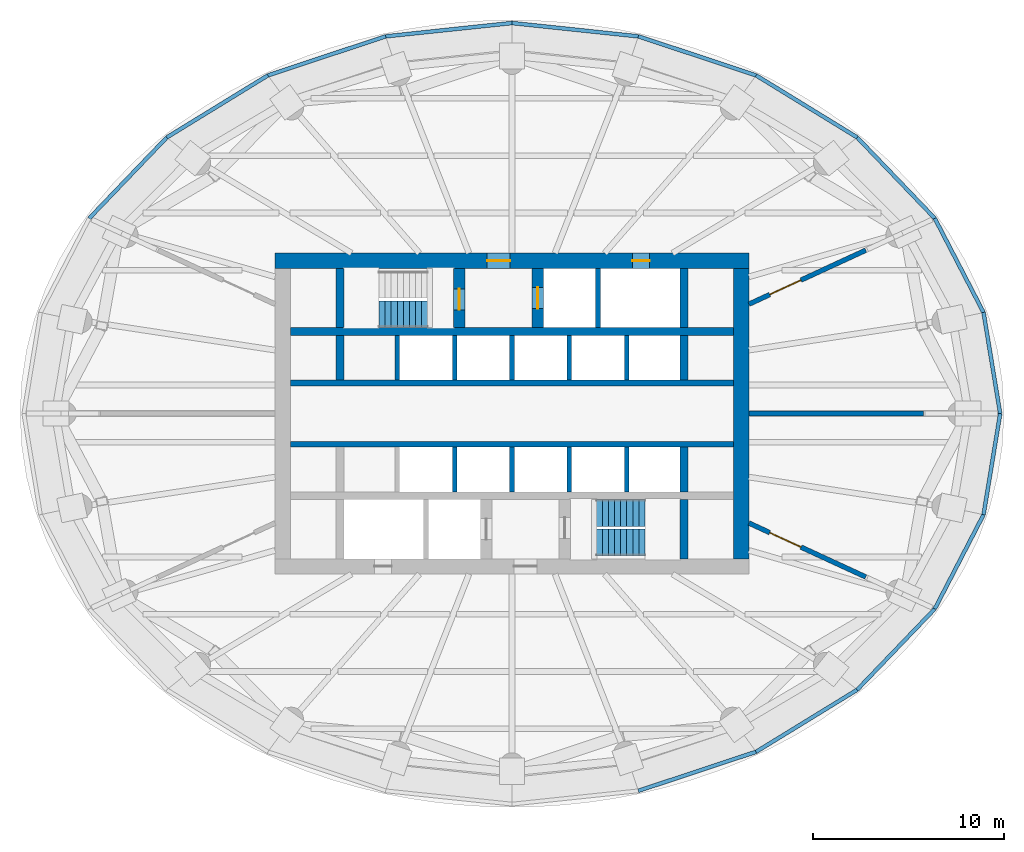
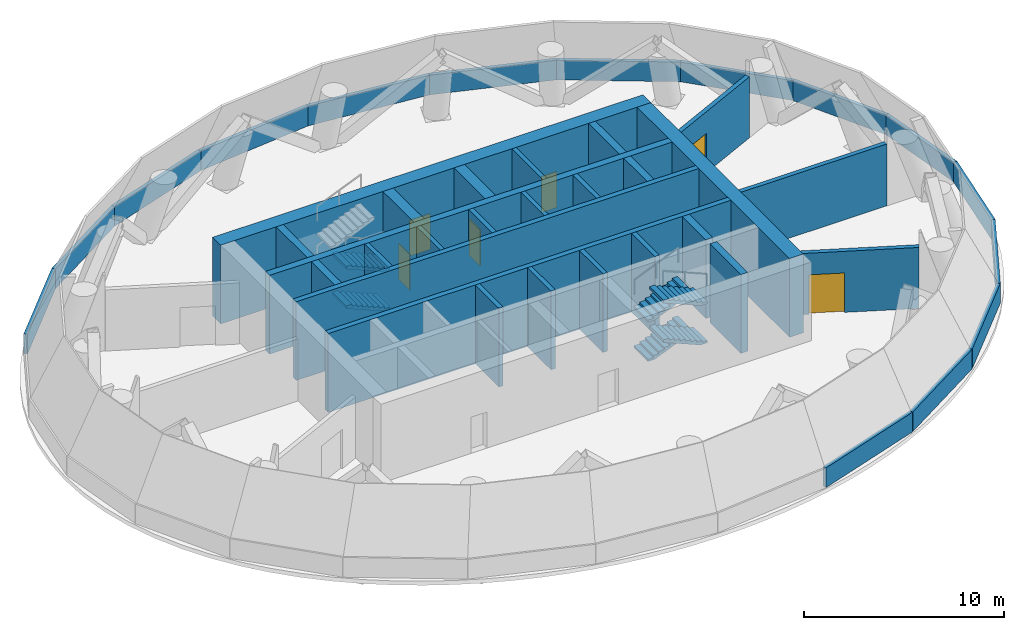
# One storey, part 5 of 7: 41 walls, 6 doors, 6 stair flights, 6 openings, 2 elements without a shape of their own.
"""IFC4 building model written with IfcOpenShell, lengths in metres."""

from ifc_helpers import new_model, si_unit, direction, frame, frame_2d, origin, place, context, subcontext, project, spatial, polyline, rectangle, outline, extrude, material, layer, layer_set, type_object, element, fill, aggregate, save


model = new_model("IFC4")

# Units and contexts
model_context = context("Model", 3, precision=1e-05, world=origin(), true_north=direction((0.0, 1.0)))
body_context = subcontext(model_context, "Body", "Model", "MODEL_VIEW")
ifc_project = project(units=[si_unit("LENGTHUNIT", "METRE"), si_unit("AREAUNIT", "SQUARE_METRE"), si_unit("VOLUMEUNIT", "CUBIC_METRE"), si_unit("PLANEANGLEUNIT", "RADIAN"), si_unit("MASSUNIT", "GRAM", prefix="KILO")], contexts=[model_context])

# Site, building, storey
site_placement = place(None, origin())
site = spatial("IfcSite", under=ifc_project, at=site_placement, CompositionType="ELEMENT")
building_placement = place(site_placement, origin())
building = spatial("IfcBuilding", under=site, at=building_placement, Name="Hankou Lantern Tower", CompositionType="ELEMENT")
storey_placement = place(building_placement, frame((0.0, 0.0, 138.60009765625)))
storey = spatial("IfcBuildingStorey", under=building, at=storey_placement, Name="L36", CompositionType="ELEMENT", Elevation=138.60009765625)

# Wall, openings, doors
ifc_material_1 = material(Name="Concrete C60", Category="concrete")
ifc_layer_1 = layer(ifc_material_1, 0.800048828125)
ifc_layer_set_1 = layer_set([ifc_layer_1], Name="Concrete C60")
wall_type_1 = type_object("IfcWallType", Name="CW2 CORE WALL 800", PredefinedType="SHEAR", material=ifc_layer_set_1)
wall_1_placement = place(storey_placement, frame((-12.39990234375, 8.0, 0.0), z_axis=(0.0, 0.0, 1.0), x_axis=(1.0, 0.0, 0.0)))
wall_1 = element("IfcWall", 1, at=wall_1_placement, inside=storey, type_object=wall_type_1, Name="Core wall north L36", PredefinedType="SHEAR", context=body_context, shape_type="SweptSolid", body=[
    extrude(rectangle(XDim=24.7998046875, YDim=0.800048828125, at=frame_2d((12.39990234375, 0.0))), origin(), (0.0, 0.0, 1.0), 4.7998046875),
])
opening_1_placement = place(wall_1_placement, frame((11.10009765625, 0.0, 0.0)))
opening_1 = element("IfcOpeningElement", 2, at=opening_1_placement, cuts=wall_1, Name="Opening D5", PredefinedType="OPENING", context=body_context, shape_type="SweptSolid", body=[
    extrude(rectangle(XDim=1.199951171875, YDim=2.199951171875, at=frame_2d((0.60009765625, 1.10009765625))), frame((0.0, 0.409912109375, 0.0), z_axis=(0.0, -1.0, 0.0), x_axis=(1.0, 0.0, 0.0)), (0.0, 0.0, 1.0), 0.820068359375),
])
opening_2_placement = place(wall_1_placement, frame((18.699951171875, 0.0, 0.0)))
opening_2 = element("IfcOpeningElement", 3, at=opening_2_placement, cuts=wall_1, Name="Opening D7", PredefinedType="OPENING", context=body_context, shape_type="SweptSolid", body=[
    extrude(rectangle(XDim=0.89990234375, YDim=2.199951171875, at=frame_2d((0.449951171875, 1.10009765625))), frame((0.0, 0.409912109375, 0.0), z_axis=(0.0, -1.0, 0.0), x_axis=(1.0, 0.0, 0.0)), (0.0, 0.0, 1.0), 0.820068359375),
])
ifc_material_2 = material(Name="Steel door leaf", Category="steel")
door_type_1 = type_object("IfcDoorType", Name="D5 STAIR LOBBY DOOR 1200X2200", OperationType="SINGLE_SWING_LEFT", PredefinedType="DOOR", material=ifc_material_2)
door_1_placement = place(opening_1_placement, origin())
door_1 = element("IfcDoor", 4, at=door_1_placement, inside=storey, type_object=door_type_1, Name="Stair A lobby door", OperationType="SINGLE_SWING_LEFT", OverallHeight=2.199951171875, OverallWidth=1.199951171875, PredefinedType="DOOR", context=body_context, shape_type="SweptSolid", body=[
    extrude(rectangle(XDim=1.199951171875, YDim=2.199951171875, at=frame_2d((0.60009765625, 1.10009765625))), frame((0.0, 0.02490234375, 0.0), z_axis=(0.0, -1.0, 0.0), x_axis=(1.0, 0.0, 0.0)), (0.0, 0.0, 1.0), 0.050048828125),
])
fill(opening_1, door_1)
ifc_material_3 = material(Name="Steel door leaf", Category="steel")
door_type_2 = type_object("IfcDoorType", Name="D7 RISER DOOR 900X2200", OperationType="SINGLE_SWING_LEFT", PredefinedType="DOOR", material=ifc_material_3)
door_2_placement = place(opening_2_placement, origin())
door_2 = element("IfcDoor", 5, at=door_2_placement, inside=storey, type_object=door_type_2, Name="Riser N1 door", OperationType="SINGLE_SWING_RIGHT", OverallHeight=2.199951171875, OverallWidth=0.89990234375, PredefinedType="DOOR", context=body_context, shape_type="SweptSolid", body=[
    extrude(rectangle(XDim=0.89990234375, YDim=2.199951171875, at=frame_2d((0.449951171875, 1.10009765625))), frame((0.0, 0.02490234375, 0.0), z_axis=(0.0, -1.0, 0.0), x_axis=(1.0, 0.0, 0.0)), (0.0, 0.0, 1.0), 0.050048828125),
])
fill(opening_2, door_2)

# Walls
wall_2_placement = place(storey_placement, frame((12.0, -7.60009765625, 0.0), z_axis=(0.0, 0.0, 1.0), x_axis=(0.0, 1.0, 0.0)))
element("IfcWall", 6, at=wall_2_placement, inside=storey, type_object=wall_type_1, Name="Core wall east L36", PredefinedType="SHEAR", context=body_context, shape_type="SweptSolid", body=[
    extrude(rectangle(XDim=15.2001953125, YDim=0.800048828125, at=frame_2d((7.60009765625, 0.0))), origin(), (0.0, 0.0, 1.0), 4.7998046875),
])
ifc_material_4 = material(Name="Concrete C60", Category="concrete")
ifc_layer_2 = layer(ifc_material_4, 0.39990234375)
ifc_layer_set_2 = layer_set([ifc_layer_2], Name="Concrete C60")
wall_type_2 = type_object("IfcWallType", Name="CW4 CORE CROSS WALL 400", PredefinedType="SHEAR", material=ifc_layer_set_2)
wall_3_placement = place(storey_placement, frame((-11.60009765625, 4.300048828125, 0.0), z_axis=(0.0, 0.0, 1.0), x_axis=(1.0, 0.0, 0.0)))
element("IfcWall", 7, at=wall_3_placement, inside=storey, type_object=wall_type_2, Name="Core band wall north L36", PredefinedType="SHEAR", context=body_context, shape_type="SweptSolid", body=[
    extrude(rectangle(XDim=23.2001953125, YDim=0.39990234375, at=frame_2d((11.60009765625, 0.0))), origin(), (0.0, 0.0, 1.0), 4.7998046875),
])
wall_4_placement = place(storey_placement, frame((-9.0, 4.5, 0.0), z_axis=(0.0, 0.0, 1.0), x_axis=(0.0, 1.0, 0.0)))
element("IfcWall", 8, at=wall_4_placement, inside=storey, type_object=wall_type_2, Name="Core strip wall L36", PredefinedType="SHEAR", context=body_context, shape_type="SweptSolid", body=[
    extrude(rectangle(XDim=3.10009765625, YDim=0.39990234375, at=frame_2d((1.550048828125, 0.0))), origin(), (0.0, 0.0, 1.0), 4.7998046875),
])
wall_5_placement = place(storey_placement, frame((-9.0, 1.75, 0.0), z_axis=(0.0, 0.0, 1.0), x_axis=(0.0, 1.0, 0.0)))
element("IfcWall", 9, at=wall_5_placement, inside=storey, type_object=wall_type_2, Name="Core strip wall L36", PredefinedType="SHEAR", context=body_context, shape_type="SweptSolid", body=[
    extrude(rectangle(XDim=2.35009765625, YDim=0.39990234375, at=frame_2d((1.175048828125, 0.0))), origin(), (0.0, 0.0, 1.0), 4.7998046875),
])
wall_6_placement = place(storey_placement, frame((9.0, 4.5, 0.0), z_axis=(0.0, 0.0, 1.0), x_axis=(0.0, 1.0, 0.0)))
element("IfcWall", 10, at=wall_6_placement, inside=storey, type_object=wall_type_2, Name="Core strip wall L36", PredefinedType="SHEAR", context=body_context, shape_type="SweptSolid", body=[
    extrude(rectangle(XDim=3.10009765625, YDim=0.39990234375, at=frame_2d((1.550048828125, 0.0))), origin(), (0.0, 0.0, 1.0), 4.7998046875),
])
for number, where, z_axis, x_axis, name in (
    (11, (9.0, 1.75, 0.0), (0.0, 0.0, 1.0), (0.0, 1.0, 0.0), "Core strip wall L36"),
    (12, (9.0, -4.10009765625, 0.0), (0.0, 0.0, 1.0), (0.0, 1.0, 0.0), "Core strip wall L36"),
):
    element("IfcWall", number, at=place(storey_placement, frame(where, z_axis=z_axis, x_axis=x_axis)), inside=storey, type_object=wall_type_2, Name=name, PredefinedType="SHEAR", context=body_context, shape_type="SweptSolid", body=[
        extrude(rectangle(XDim=2.35009765625, YDim=0.39990234375, at=frame_2d((1.175048828125, 0.0))), origin(), (0.0, 0.0, 1.0), 4.7998046875),
    ])
wall_7_placement = place(storey_placement, frame((9.0, -7.60009765625, 0.0), z_axis=(0.0, 0.0, 1.0), x_axis=(0.0, 1.0, 0.0)))
element("IfcWall", 13, at=wall_7_placement, inside=storey, type_object=wall_type_2, Name="Core strip wall L36", PredefinedType="SHEAR", context=body_context, shape_type="SweptSolid", body=[
    extrude(rectangle(XDim=3.10009765625, YDim=0.39990234375, at=frame_2d((1.550048828125, 0.0))), origin(), (0.0, 0.0, 1.0), 4.7998046875),
])
ifc_material_5 = material(Name="Concrete C60", Category="concrete")
ifc_layer_3 = layer(ifc_material_5, 0.300048828125)
ifc_layer_set_3 = layer_set([ifc_layer_3], Name="Concrete C60")
wall_type_3 = type_object("IfcWallType", Name="CW5 LIFT LOBBY WALL 300", PredefinedType="SHEAR", material=ifc_layer_set_3)
for number, where, z_axis, x_axis, name in (
    (14, (-11.60009765625, 1.60009765625, 0.0), (0.0, 0.0, 1.0), (1.0, 0.0, 0.0), "Lift lobby wall north L36"),
    (15, (-11.60009765625, -1.60009765625, 0.0), (0.0, 0.0, 1.0), (1.0, 0.0, 0.0), "Lift lobby wall south L36"),
):
    element("IfcWall", number, at=place(storey_placement, frame(where, z_axis=z_axis, x_axis=x_axis)), inside=storey, type_object=wall_type_3, Name=name, PredefinedType="SHEAR", context=body_context, shape_type="SweptSolid", body=[
        extrude(rectangle(XDim=23.2001953125, YDim=0.300048828125, at=frame_2d((11.60009765625, 0.0))), origin(), (0.0, 0.0, 1.0), 4.7998046875),
    ])

# Wall, opening, door
ifc_material_6 = material(Name="Concrete C60", Category="concrete")
ifc_layer_4 = layer(ifc_material_6, 0.60009765625)
ifc_layer_set_4 = layer_set([ifc_layer_4], Name="Concrete C60")
wall_type_4 = type_object("IfcWallType", Name="CW6 STAIR AND SHAFT WALL 600", PredefinedType="SHEAR", material=ifc_layer_set_4)
wall_8_placement = place(storey_placement, frame((-2.75, 4.5, 0.0), z_axis=(0.0, 0.0, 1.0), x_axis=(0.0, 1.0, 0.0)))
wall_8 = element("IfcWall", 16, at=wall_8_placement, inside=storey, type_object=wall_type_4, Name="Stair wall L36", PredefinedType="SHEAR", context=body_context, shape_type="SweptSolid", body=[
    extrude(rectangle(XDim=3.10009765625, YDim=0.60009765625, at=frame_2d((1.550048828125, 0.0))), origin(), (0.0, 0.0, 1.0), 4.7998046875),
])
opening_3_placement = place(wall_8_placement, frame((0.925048828125, 0.0, 0.0)))
opening_3 = element("IfcOpeningElement", 17, at=opening_3_placement, cuts=wall_8, Name="Opening D4", PredefinedType="OPENING", context=body_context, shape_type="SweptSolid", body=[
    extrude(rectangle(XDim=1.10009765625, YDim=2.199951171875, at=frame_2d((0.550048828125, 1.10009765625))), frame((0.0, 0.31005859375, 0.0), z_axis=(0.0, -1.0, 0.0), x_axis=(1.0, 0.0, 0.0)), (0.0, 0.0, 1.0), 0.6201171875),
])
ifc_material_7 = material(Name="Steel door leaf", Category="steel")
door_type_3 = type_object("IfcDoorType", Name="D4 STAIR DOOR 1100X2200", OperationType="SINGLE_SWING_LEFT", PredefinedType="DOOR", material=ifc_material_7)
door_3_placement = place(opening_3_placement, origin())
door_3 = element("IfcDoor", 18, at=door_3_placement, inside=storey, type_object=door_type_3, Name="Stair A door", OperationType="SINGLE_SWING_LEFT", OverallHeight=2.199951171875, OverallWidth=1.10009765625, PredefinedType="DOOR", context=body_context, shape_type="SweptSolid", body=[
    extrude(rectangle(XDim=1.10009765625, YDim=2.199951171875, at=frame_2d((0.550048828125, 1.10009765625))), frame((0.0, 0.02490234375, 0.0), z_axis=(0.0, -1.0, 0.0), x_axis=(1.0, 0.0, 0.0)), (0.0, 0.0, 1.0), 0.050048828125),
])
fill(opening_3, door_3)

wall_9_placement = place(storey_placement, frame((1.35009765625, 4.5, 0.0), z_axis=(0.0, 0.0, 1.0), x_axis=(0.0, 1.0, 0.0)))
wall_9 = element("IfcWall", 19, at=wall_9_placement, inside=storey, type_object=wall_type_4, Name="Firefighting lift shaft wall L36", PredefinedType="SHEAR", context=body_context, shape_type="SweptSolid", body=[
    extrude(rectangle(XDim=3.10009765625, YDim=0.60009765625, at=frame_2d((1.550048828125, 0.0))), origin(), (0.0, 0.0, 1.0), 4.7998046875),
])
opening_4_placement = place(wall_9_placement, frame((1.0, 0.0, 0.0)))
opening_4 = element("IfcOpeningElement", 20, at=opening_4_placement, cuts=wall_9, Name="Opening LD2", PredefinedType="OPENING", context=body_context, shape_type="SweptSolid", body=[
    extrude(rectangle(XDim=1.10009765625, YDim=2.199951171875, at=frame_2d((0.550048828125, 1.10009765625))), frame((0.0, 0.31005859375, 0.0), z_axis=(0.0, -1.0, 0.0), x_axis=(1.0, 0.0, 0.0)), (0.0, 0.0, 1.0), 0.6201171875),
])
ifc_material_8 = material(Name="Steel door leaf", Category="steel")
door_type_4 = type_object("IfcDoorType", Name="LD2 FIREFIGHTING LIFT LANDING DOOR 1100X2200", OperationType="DOUBLE_DOOR_SLIDING", PredefinedType="DOOR", material=ifc_material_8)
door_4_placement = place(opening_4_placement, origin())
door_4 = element("IfcDoor", 21, at=door_4_placement, inside=storey, type_object=door_type_4, Name="Firefighting lift FL1 landing door", OperationType="DOUBLE_DOOR_SLIDING", OverallHeight=2.199951171875, OverallWidth=1.10009765625, PredefinedType="DOOR", context=body_context, shape_type="SweptSolid", body=[
    extrude(rectangle(XDim=1.10009765625, YDim=2.199951171875, at=frame_2d((0.550048828125, 1.10009765625))), frame((0.0, 0.02490234375, 0.0), z_axis=(0.0, -1.0, 0.0), x_axis=(1.0, 0.0, 0.0)), (0.0, 0.0, 1.0), 0.050048828125),
])
fill(opening_4, door_4)

# Walls
ifc_material_9 = material(Name="Precast concrete C40 spandrel", Category="concrete")
ifc_layer_5 = layer(ifc_material_9, 0.199951171875)
ifc_layer_set_5 = layer_set([ifc_layer_5], Name="Precast concrete C40 spandrel")
wall_type_5 = type_object("IfcWallType", Name="EW3 SPANDREL WALL 200", PredefinedType="PARAPET", material=ifc_layer_set_5)
wall_10_placement = place(storey_placement, frame((25.550048828125, 0.0, 0.0), z_axis=(0.0, 0.0, 1.0), x_axis=(-0.162382736065, 0.986727848511, 0.0)))
element("IfcWall", 22, at=wall_10_placement, inside=storey, type_object=wall_type_5, Name="Spandrel wall R01 L36", PredefinedType="PARAPET", context=body_context, shape_type="SweptSolid", body=[
    extrude(rectangle(XDim=5.361328125, YDim=0.199951171875, at=frame_2d((2.6806640625, 0.0))), origin(), (0.0, 0.0, 1.0), 1.199951171875),
])
wall_11_placement = place(storey_placement, frame((24.679443359375, 5.290283203125, 0.0), z_axis=(0.0, 0.0, 1.0), x_axis=(-0.459799751401, 0.888022628435, 0.0)))
element("IfcWall", 23, at=wall_11_placement, inside=storey, type_object=wall_type_5, Name="Spandrel wall R02 L36", PredefinedType="PARAPET", context=body_context, shape_type="SweptSolid", body=[
    extrude(rectangle(XDim=5.55126953125, YDim=0.199951171875, at=frame_2d((2.775634765625, 0.0))), origin(), (0.0, 0.0, 1.0), 1.199951171875),
])
wall_12_placement = place(storey_placement, frame((22.126953125, 10.219970703125, 0.0), z_axis=(0.0, 0.0, 1.0), x_axis=(-0.692198197334, 0.721707458467, 0.0)))
element("IfcWall", 24, at=wall_12_placement, inside=storey, type_object=wall_type_5, Name="Spandrel wall R03 L36", PredefinedType="PARAPET", context=body_context, shape_type="SweptSolid", body=[
    extrude(rectangle(XDim=5.86572265625, YDim=0.199951171875, at=frame_2d((2.932861328125, 0.0))), origin(), (0.0, 0.0, 1.0), 1.199951171875),
])
wall_13_placement = place(storey_placement, frame((18.066650390625, 14.453369140625, 0.0), z_axis=(0.0, 0.0, 1.0), x_axis=(-0.852245039727, 0.523142802933, 0.0)))
element("IfcWall", 25, at=wall_13_placement, inside=storey, type_object=wall_type_5, Name="Spandrel wall R04 L36", PredefinedType="PARAPET", context=body_context, shape_type="SweptSolid", body=[
    extrude(rectangle(XDim=6.209228515625, YDim=0.199951171875, at=frame_2d((3.1044921875, 0.0))), origin(), (0.0, 0.0, 1.0), 1.199951171875),
])
wall_14_placement = place(storey_placement, frame((12.77490234375, 17.70166015625, 0.0), z_axis=(0.0, 0.0, 1.0), x_axis=(-0.94924966328, 0.314523571078, 0.0)))
element("IfcWall", 26, at=wall_14_placement, inside=storey, type_object=wall_type_5, Name="Spandrel wall R05 L36", PredefinedType="PARAPET", context=body_context, shape_type="SweptSolid", body=[
    extrude(rectangle(XDim=6.491455078125, YDim=0.199951171875, at=frame_2d((3.24560546875, 0.0))), origin(), (0.0, 0.0, 1.0), 1.199951171875),
])
for number, where, z_axis, x_axis, name in (
    (27, (6.61279296875, 19.743408203125, 0.0), (0.0, 0.0, 1.0), (-0.994498409184, 0.10475167841, 0.0), "Spandrel wall R06 L36"),
    (28, (0.0, 20.43994140625, 0.0), (0.0, 0.0, 1.0), (-0.994498409184, -0.10475167841, 0.0), "Spandrel wall R07 L36"),
):
    element("IfcWall", number, at=place(storey_placement, frame(where, z_axis=z_axis, x_axis=x_axis)), inside=storey, type_object=wall_type_5, Name=name, PredefinedType="PARAPET", context=body_context, shape_type="SweptSolid", body=[
        extrude(rectangle(XDim=6.6494140625, YDim=0.199951171875, at=frame_2d((3.32470703125, 0.0))), origin(), (0.0, 0.0, 1.0), 1.199951171875),
    ])
wall_15_placement = place(storey_placement, frame((-6.61279296875, 19.743408203125, 0.0), z_axis=(0.0, 0.0, 1.0), x_axis=(-0.94924966328, -0.314523571078, 0.0)))
element("IfcWall", 29, at=wall_15_placement, inside=storey, type_object=wall_type_5, Name="Spandrel wall R08 L36", PredefinedType="PARAPET", context=body_context, shape_type="SweptSolid", body=[
    extrude(rectangle(XDim=6.491455078125, YDim=0.199951171875, at=frame_2d((3.24560546875, 0.0))), origin(), (0.0, 0.0, 1.0), 1.199951171875),
])
wall_16_placement = place(storey_placement, frame((-12.77490234375, 17.70166015625, 0.0), z_axis=(0.0, 0.0, 1.0), x_axis=(-0.852245039727, -0.523142802933, 0.0)))
element("IfcWall", 30, at=wall_16_placement, inside=storey, type_object=wall_type_5, Name="Spandrel wall R09 L36", PredefinedType="PARAPET", context=body_context, shape_type="SweptSolid", body=[
    extrude(rectangle(XDim=6.209228515625, YDim=0.199951171875, at=frame_2d((3.1044921875, 0.0))), origin(), (0.0, 0.0, 1.0), 1.199951171875),
])
wall_17_placement = place(storey_placement, frame((-18.066650390625, 14.453369140625, 0.0), z_axis=(0.0, 0.0, 1.0), x_axis=(-0.692198197334, -0.721707458467, 0.0)))
element("IfcWall", 31, at=wall_17_placement, inside=storey, type_object=wall_type_5, Name="Spandrel wall R10 L36", PredefinedType="PARAPET", context=body_context, shape_type="SweptSolid", body=[
    extrude(rectangle(XDim=5.86572265625, YDim=0.199951171875, at=frame_2d((2.932861328125, 0.0))), origin(), (0.0, 0.0, 1.0), 1.199951171875),
])
wall_18_placement = place(storey_placement, frame((6.61279296875, -19.743408203125, 0.0), z_axis=(0.0, 0.0, 1.0), x_axis=(0.94924966328, 0.314523571078, 0.0)))
element("IfcWall", 32, at=wall_18_placement, inside=storey, type_object=wall_type_5, Name="Spandrel wall R20 L36", PredefinedType="PARAPET", context=body_context, shape_type="SweptSolid", body=[
    extrude(rectangle(XDim=6.491455078125, YDim=0.199951171875, at=frame_2d((3.24560546875, 0.0))), origin(), (0.0, 0.0, 1.0), 1.199951171875),
])
wall_19_placement = place(storey_placement, frame((12.77490234375, -17.70166015625, 0.0), z_axis=(0.0, 0.0, 1.0), x_axis=(0.852245039727, 0.523142802933, 0.0)))
element("IfcWall", 33, at=wall_19_placement, inside=storey, type_object=wall_type_5, Name="Spandrel wall R21 L36", PredefinedType="PARAPET", context=body_context, shape_type="SweptSolid", body=[
    extrude(rectangle(XDim=6.209228515625, YDim=0.199951171875, at=frame_2d((3.1044921875, 0.0))), origin(), (0.0, 0.0, 1.0), 1.199951171875),
])
wall_20_placement = place(storey_placement, frame((18.066650390625, -14.453369140625, 0.0), z_axis=(0.0, 0.0, 1.0), x_axis=(0.692198197334, 0.721707458467, 0.0)))
element("IfcWall", 34, at=wall_20_placement, inside=storey, type_object=wall_type_5, Name="Spandrel wall R22 L36", PredefinedType="PARAPET", context=body_context, shape_type="SweptSolid", body=[
    extrude(rectangle(XDim=5.86572265625, YDim=0.199951171875, at=frame_2d((2.932861328125, 0.0))), origin(), (0.0, 0.0, 1.0), 1.199951171875),
])
wall_21_placement = place(storey_placement, frame((22.126953125, -10.219970703125, 0.0), z_axis=(0.0, 0.0, 1.0), x_axis=(0.459799751401, 0.888022628435, 0.0)))
element("IfcWall", 35, at=wall_21_placement, inside=storey, type_object=wall_type_5, Name="Spandrel wall R23 L36", PredefinedType="PARAPET", context=body_context, shape_type="SweptSolid", body=[
    extrude(rectangle(XDim=5.55126953125, YDim=0.199951171875, at=frame_2d((2.775634765625, 0.0))), origin(), (0.0, 0.0, 1.0), 1.199951171875),
])
wall_22_placement = place(storey_placement, frame((24.679443359375, -5.290283203125, 0.0), z_axis=(0.0, 0.0, 1.0), x_axis=(0.162382736065, 0.986727848511, 0.0)))
element("IfcWall", 36, at=wall_22_placement, inside=storey, type_object=wall_type_5, Name="Spandrel wall R24 L36", PredefinedType="PARAPET", context=body_context, shape_type="SweptSolid", body=[
    extrude(rectangle(XDim=5.361328125, YDim=0.199951171875, at=frame_2d((2.6806640625, 0.0))), origin(), (0.0, 0.0, 1.0), 1.199951171875),
])

# Wall, opening, door
ifc_material_10 = material(Name="Masonry dense concrete block", Category="masonry")
ifc_layer_6 = layer(ifc_material_10, 0.25)
ifc_layer_set_6 = layer_set([ifc_layer_6], Name="Masonry dense concrete block")
wall_type_6 = type_object("IfcWallType", Name="IW5 PLANT ROOM FIRE WALL 250", PredefinedType="PARTITIONING", material=ifc_layer_set_6)
wall_23_placement = place(storey_placement, frame((12.39990234375, 5.727294921875, 0.0), z_axis=(0.0, 0.0, 1.0), x_axis=(0.907839453041, 0.419317931291, 0.0)))
wall_23 = element("IfcWall", 37, at=wall_23_placement, inside=storey, type_object=wall_type_6, Name="Plant room fire wall R03", PredefinedType="PARTITIONING", context=body_context, shape_type="SweptSolid", body=[
    extrude(rectangle(XDim=6.734619140625, YDim=0.25, at=frame_2d((3.3671875, 0.0))), origin(), (0.0, 0.0, 1.0), 3.719970703125),
])
opening_5_placement = place(wall_23_placement, frame((1.199951171875, 0.0, 0.0)))
opening_5 = element("IfcOpeningElement", 38, at=opening_5_placement, cuts=wall_23, Name="Opening D9", PredefinedType="OPENING", context=body_context, shape_type="SweptSolid", body=[
    extrude(rectangle(XDim=1.800048828125, YDim=2.39990234375, at=frame_2d((0.89990234375, 1.199951171875))), frame((0.0, 0.135009765625, 0.0), z_axis=(0.0, -1.0, 0.0), x_axis=(1.0, 0.0, 0.0)), (0.0, 0.0, 1.0), 0.27001953125),
])
ifc_material_11 = material(Name="Steel door leaf", Category="steel")
door_type_5 = type_object("IfcDoorType", Name="D9 PLANT ROOM DOOR 1800X2400", OperationType="DOUBLE_DOOR_DOUBLE_SWING", PredefinedType="DOOR", material=ifc_material_11)
door_5_placement = place(opening_5_placement, origin())
door_5 = element("IfcDoor", 39, at=door_5_placement, inside=storey, type_object=door_type_5, Name="Plant room door R03", OperationType="DOUBLE_DOOR_DOUBLE_SWING", OverallHeight=2.39990234375, OverallWidth=1.800048828125, PredefinedType="DOOR", context=body_context, shape_type="SweptSolid", body=[
    extrude(rectangle(XDim=1.800048828125, YDim=2.39990234375, at=frame_2d((0.89990234375, 1.199951171875))), frame((0.0, 0.02490234375, 0.0), z_axis=(0.0, -1.0, 0.0), x_axis=(1.0, 0.0, 0.0)), (0.0, 0.0, 1.0), 0.050048828125),
])
fill(opening_5, door_5)

wall_24_placement = place(storey_placement, frame((12.39990234375, -5.727294921875, 0.0), z_axis=(0.0, 0.0, 1.0), x_axis=(0.907839453041, -0.419317931291, 0.0)))
wall_24 = element("IfcWall", 40, at=wall_24_placement, inside=storey, type_object=wall_type_6, Name="Plant room fire wall R23", PredefinedType="PARTITIONING", context=body_context, shape_type="SweptSolid", body=[
    extrude(rectangle(XDim=6.734619140625, YDim=0.25, at=frame_2d((3.3671875, 0.0))), origin(), (0.0, 0.0, 1.0), 3.719970703125),
])
opening_6_placement = place(wall_24_placement, frame((1.199951171875, 0.0, 0.0)))
opening_6 = element("IfcOpeningElement", 41, at=opening_6_placement, cuts=wall_24, Name="Opening D9", PredefinedType="OPENING", context=body_context, shape_type="SweptSolid", body=[
    extrude(rectangle(XDim=1.800048828125, YDim=2.39990234375, at=frame_2d((0.89990234375, 1.199951171875))), frame((0.0, 0.135009765625, 0.0), z_axis=(0.0, -1.0, 0.0), x_axis=(1.0, 0.0, 0.0)), (0.0, 0.0, 1.0), 0.27001953125),
])
door_6_placement = place(opening_6_placement, origin())
door_6 = element("IfcDoor", 42, at=door_6_placement, inside=storey, type_object=door_type_5, Name="Plant room door R23", OperationType="DOUBLE_DOOR_DOUBLE_SWING", OverallHeight=2.39990234375, OverallWidth=1.800048828125, PredefinedType="DOOR", context=body_context, shape_type="SweptSolid", body=[
    extrude(rectangle(XDim=1.800048828125, YDim=2.39990234375, at=frame_2d((0.89990234375, 1.199951171875))), frame((0.0, 0.02490234375, 0.0), z_axis=(0.0, -1.0, 0.0), x_axis=(1.0, 0.0, 0.0)), (0.0, 0.0, 1.0), 0.050048828125),
])
fill(opening_6, door_6)

# Walls
wall_25_placement = place(storey_placement, frame((12.39990234375, 0.0, 0.0), z_axis=(0.0, 0.0, 1.0), x_axis=(1.0, 0.0, 0.0)))
element("IfcWall", 43, at=wall_25_placement, inside=storey, type_object=wall_type_6, Name="Plant room partition R01", PredefinedType="PARTITIONING", context=body_context, shape_type="SweptSolid", body=[
    extrude(rectangle(XDim=9.124755859375, YDim=0.25, at=frame_2d((4.5625, 0.0))), origin(), (0.0, 0.0, 1.0), 3.77001953125),
])
ifc_material_12 = material(Name="Masonry autoclaved aerated concrete block", Category="masonry")
ifc_layer_7 = layer(ifc_material_12, 0.25)
ifc_layer_set_7 = layer_set([ifc_layer_7], Name="Masonry autoclaved aerated concrete block")
wall_type_7 = type_object("IfcWallType", Name="SW1 SHAFT BLOCK WALL 250", PredefinedType="PARTITIONING", material=ifc_layer_set_7)
wall_26_placement = place(storey_placement, frame((4.5, 4.5, 0.0), z_axis=(0.0, 0.0, 1.0), x_axis=(0.0, 1.0, 0.0)))
element("IfcWall", 44, at=wall_26_placement, inside=storey, type_object=wall_type_7, Name="Riser wall L36", PredefinedType="PARTITIONING", context=body_context, shape_type="SweptSolid", body=[
    extrude(rectangle(XDim=3.10009765625, YDim=0.25, at=frame_2d((1.550048828125, 0.0))), origin(), (0.0, 0.0, 1.0), 4.7998046875),
])
for number, where, z_axis, x_axis, name in (
    (45, (-6.0, 1.75, 0.0), (0.0, 0.0, 1.0), (0.0, 1.0, 0.0), "Lift shaft wall L36"),
    (46, (-3.0, 1.75, 0.0), (0.0, 0.0, 1.0), (0.0, 1.0, 0.0), "Lift shaft wall L36"),
    (47, (0.0, 1.75, 0.0), (0.0, 0.0, 1.0), (0.0, 1.0, 0.0), "Lift shaft wall L36"),
    (48, (3.0, 1.75, 0.0), (0.0, 0.0, 1.0), (0.0, 1.0, 0.0), "Lift shaft wall L36"),
    (49, (6.0, 1.75, 0.0), (0.0, 0.0, 1.0), (0.0, 1.0, 0.0), "Lift shaft wall L36"),
    (50, (-3.0, -4.10009765625, 0.0), (0.0, 0.0, 1.0), (0.0, 1.0, 0.0), "Lift shaft wall L36"),
    (51, (0.0, -4.10009765625, 0.0), (0.0, 0.0, 1.0), (0.0, 1.0, 0.0), "Lift shaft wall L36"),
    (52, (3.0, -4.10009765625, 0.0), (0.0, 0.0, 1.0), (0.0, 1.0, 0.0), "Lift shaft wall L36"),
    (53, (6.0, -4.10009765625, 0.0), (0.0, 0.0, 1.0), (0.0, 1.0, 0.0), "Lift shaft wall L36"),
):
    element("IfcWall", number, at=place(storey_placement, frame(where, z_axis=z_axis, x_axis=x_axis)), inside=storey, type_object=wall_type_7, Name=name, PredefinedType="PARTITIONING", context=body_context, shape_type="SweptSolid", body=[
        extrude(rectangle(XDim=2.35009765625, YDim=0.25, at=frame_2d((1.175048828125, 0.0))), origin(), (0.0, 0.0, 1.0), 4.7998046875),
    ])

# Stair, stair flights
ifc_material_13 = material(Name="Concrete C40", Category="concrete")
stair_type = type_object("IfcStairType", Name="ST48 CORE STAIR 4800 RISE", PredefinedType="HALF_TURN_STAIR", material=ifc_material_13)
stair_1_placement = place(storey_placement, origin())
stair_1 = element("IfcStair", 54, at=stair_1_placement, inside=storey, type_object=stair_type, Name="Stair STA L36", PredefinedType="HALF_TURN_STAIR")
ifc_material_14 = material(Name="Concrete C40", Category="concrete")
stair_flight_type = type_object("IfcStairFlightType", Name="CF9 CORE STAIR FLIGHT 1400 X 9 RISERS", PredefinedType="STRAIGHT", material=ifc_material_14)
stair_flight_1_placement = place(storey_placement, frame((-4.429931640625, 5.199951171875, 0.0), z_axis=(0.0, 0.0, 1.0), x_axis=(-1.0, 0.0, 0.0)))
stair_flight_1 = element("IfcStairFlight", 55, at=stair_flight_1_placement, type_object=stair_flight_type, Name="STA flight 1", NumberOfRisers=9, NumberOfTreads=8, PredefinedType="STRAIGHT", RiserHeight=0.133333333, TreadLength=0.315, context=body_context, shape_type="SweptSolid", body=[
    extrude(outline(polyline([(0.0, 0.0), (0.0, 0.13330078125), (0.31494140625, 0.13330078125), (0.31494140625, 0.2666015625), (0.6298828125, 0.2666015625), (0.6298828125, 0.39990234375), (0.945068359375, 0.39990234375), (0.945068359375, 0.533447265625), (1.260009765625, 0.533447265625), (1.260009765625, 0.666748046875), (1.574951171875, 0.666748046875), (1.574951171875, 0.800048828125), (1.889892578125, 0.800048828125), (1.889892578125, 0.933349609375), (2.205078125, 0.933349609375), (2.205078125, 1.066650390625), (2.52001953125, 1.066650390625), (2.52001953125, 1.199951171875), (2.52001953125, 0.90380859375), (0.384521484375, 0.0), (0.0, 0.0)])), frame((0.0, 0.699951171875, 0.0), z_axis=(0.0, -1.0, 0.0), x_axis=(1.0, 0.0, 0.0)), (0.0, 0.0, 1.0), 1.39990234375),
])
stair_flight_2_placement = place(storey_placement, frame((-4.429931640625, 5.199951171875, 2.39990234375), z_axis=(0.0, 0.0, 1.0), x_axis=(-1.0, 0.0, 0.0)))
stair_flight_2 = element("IfcStairFlight", 56, at=stair_flight_2_placement, type_object=stair_flight_type, Name="STA flight 3", NumberOfRisers=9, NumberOfTreads=8, PredefinedType="STRAIGHT", RiserHeight=0.133333333, TreadLength=0.315, context=body_context, shape_type="SweptSolid", body=[
    extrude(outline(polyline([(0.0, 0.0), (0.0, 0.13330078125), (0.31494140625, 0.13330078125), (0.31494140625, 0.2666015625), (0.6298828125, 0.2666015625), (0.6298828125, 0.39990234375), (0.945068359375, 0.39990234375), (0.945068359375, 0.533447265625), (1.260009765625, 0.533447265625), (1.260009765625, 0.666748046875), (1.574951171875, 0.666748046875), (1.574951171875, 0.800048828125), (1.889892578125, 0.800048828125), (1.889892578125, 0.933349609375), (2.205078125, 0.933349609375), (2.205078125, 1.066650390625), (2.52001953125, 1.066650390625), (2.52001953125, 1.199951171875), (2.52001953125, 0.90380859375), (0.384521484375, 0.0), (0.0, 0.0)])), frame((0.0, 0.699951171875, 0.0), z_axis=(0.0, -1.0, 0.0), x_axis=(1.0, 0.0, 0.0)), (0.0, 0.0, 1.0), 1.39990234375),
])
aggregate(stair_1, [stair_flight_1, stair_flight_2])

stair_2_placement = place(storey_placement, origin())
stair_2 = element("IfcStair", 57, at=stair_2_placement, inside=storey, type_object=stair_type, Name="Stair STB L36", PredefinedType="HALF_TURN_STAIR")
stair_flight_3_placement = place(storey_placement, frame((4.429931640625, -5.199951171875, 0.0), z_axis=(0.0, 0.0, 1.0), x_axis=(1.0, 0.0, 0.0)))
stair_flight_3 = element("IfcStairFlight", 58, at=stair_flight_3_placement, type_object=stair_flight_type, Name="STB flight 1", NumberOfRisers=9, NumberOfTreads=8, PredefinedType="STRAIGHT", RiserHeight=0.133333333, TreadLength=0.315, context=body_context, shape_type="SweptSolid", body=[
    extrude(outline(polyline([(0.0, 0.0), (0.0, 0.13330078125), (0.31494140625, 0.13330078125), (0.31494140625, 0.2666015625), (0.6298828125, 0.2666015625), (0.6298828125, 0.39990234375), (0.945068359375, 0.39990234375), (0.945068359375, 0.533447265625), (1.260009765625, 0.533447265625), (1.260009765625, 0.666748046875), (1.574951171875, 0.666748046875), (1.574951171875, 0.800048828125), (1.889892578125, 0.800048828125), (1.889892578125, 0.933349609375), (2.205078125, 0.933349609375), (2.205078125, 1.066650390625), (2.52001953125, 1.066650390625), (2.52001953125, 1.199951171875), (2.52001953125, 0.90380859375), (0.384521484375, 0.0), (0.0, 0.0)])), frame((0.0, 0.699951171875, 0.0), z_axis=(0.0, -1.0, 0.0), x_axis=(1.0, 0.0, 0.0)), (0.0, 0.0, 1.0), 1.39990234375),
])
stair_flight_4_placement = place(storey_placement, frame((6.949951171875, -6.75, 1.199951171875), z_axis=(0.0, 0.0, 1.0), x_axis=(-1.0, 0.0, 0.0)))
stair_flight_4 = element("IfcStairFlight", 59, at=stair_flight_4_placement, type_object=stair_flight_type, Name="STB flight 2", NumberOfRisers=9, NumberOfTreads=8, PredefinedType="STRAIGHT", RiserHeight=0.133333333, TreadLength=0.315, context=body_context, shape_type="SweptSolid", body=[
    extrude(outline(polyline([(0.0, 0.0), (0.0, 0.13330078125), (0.31494140625, 0.13330078125), (0.31494140625, 0.2666015625), (0.6298828125, 0.2666015625), (0.6298828125, 0.39990234375), (0.945068359375, 0.39990234375), (0.945068359375, 0.533447265625), (1.260009765625, 0.533447265625), (1.260009765625, 0.666748046875), (1.574951171875, 0.666748046875), (1.574951171875, 0.800048828125), (1.889892578125, 0.800048828125), (1.889892578125, 0.933349609375), (2.205078125, 0.933349609375), (2.205078125, 1.066650390625), (2.52001953125, 1.066650390625), (2.52001953125, 1.199951171875), (2.52001953125, 0.90380859375), (0.384521484375, 0.0), (0.0, 0.0)])), frame((0.0, 0.699951171875, 0.0), z_axis=(0.0, -1.0, 0.0), x_axis=(1.0, 0.0, 0.0)), (0.0, 0.0, 1.0), 1.39990234375),
])
stair_flight_5_placement = place(storey_placement, frame((4.429931640625, -5.199951171875, 2.39990234375), z_axis=(0.0, 0.0, 1.0), x_axis=(1.0, 0.0, 0.0)))
stair_flight_5 = element("IfcStairFlight", 60, at=stair_flight_5_placement, type_object=stair_flight_type, Name="STB flight 3", NumberOfRisers=9, NumberOfTreads=8, PredefinedType="STRAIGHT", RiserHeight=0.133333333, TreadLength=0.315, context=body_context, shape_type="SweptSolid", body=[
    extrude(outline(polyline([(0.0, 0.0), (0.0, 0.13330078125), (0.31494140625, 0.13330078125), (0.31494140625, 0.2666015625), (0.6298828125, 0.2666015625), (0.6298828125, 0.39990234375), (0.945068359375, 0.39990234375), (0.945068359375, 0.533447265625), (1.260009765625, 0.533447265625), (1.260009765625, 0.666748046875), (1.574951171875, 0.666748046875), (1.574951171875, 0.800048828125), (1.889892578125, 0.800048828125), (1.889892578125, 0.933349609375), (2.205078125, 0.933349609375), (2.205078125, 1.066650390625), (2.52001953125, 1.066650390625), (2.52001953125, 1.199951171875), (2.52001953125, 0.90380859375), (0.384521484375, 0.0), (0.0, 0.0)])), frame((0.0, 0.699951171875, 0.0), z_axis=(0.0, -1.0, 0.0), x_axis=(1.0, 0.0, 0.0)), (0.0, 0.0, 1.0), 1.39990234375),
])
stair_flight_6_placement = place(storey_placement, frame((6.949951171875, -6.75, 3.599853515625), z_axis=(0.0, 0.0, 1.0), x_axis=(-1.0, 0.0, 0.0)))
stair_flight_6 = element("IfcStairFlight", 61, at=stair_flight_6_placement, type_object=stair_flight_type, Name="STB flight 4", NumberOfRisers=9, NumberOfTreads=8, PredefinedType="STRAIGHT", RiserHeight=0.133333333, TreadLength=0.315, context=body_context, shape_type="SweptSolid", body=[
    extrude(outline(polyline([(0.0, 0.0), (0.0, 0.13330078125), (0.31494140625, 0.13330078125), (0.31494140625, 0.2666015625), (0.6298828125, 0.2666015625), (0.6298828125, 0.39990234375), (0.945068359375, 0.39990234375), (0.945068359375, 0.533447265625), (1.260009765625, 0.533447265625), (1.260009765625, 0.666748046875), (1.574951171875, 0.666748046875), (1.574951171875, 0.800048828125), (1.889892578125, 0.800048828125), (1.889892578125, 0.933349609375), (2.205078125, 0.933349609375), (2.205078125, 1.066650390625), (2.52001953125, 1.066650390625), (2.52001953125, 1.199951171875), (2.52001953125, 0.90380859375), (0.384521484375, 0.0), (0.0, 0.0)])), frame((0.0, 0.699951171875, 0.0), z_axis=(0.0, -1.0, 0.0), x_axis=(1.0, 0.0, 0.0)), (0.0, 0.0, 1.0), 1.39990234375),
])
aggregate(stair_2, [stair_flight_3, stair_flight_4, stair_flight_5, stair_flight_6])

save(model, "model.ifc")
